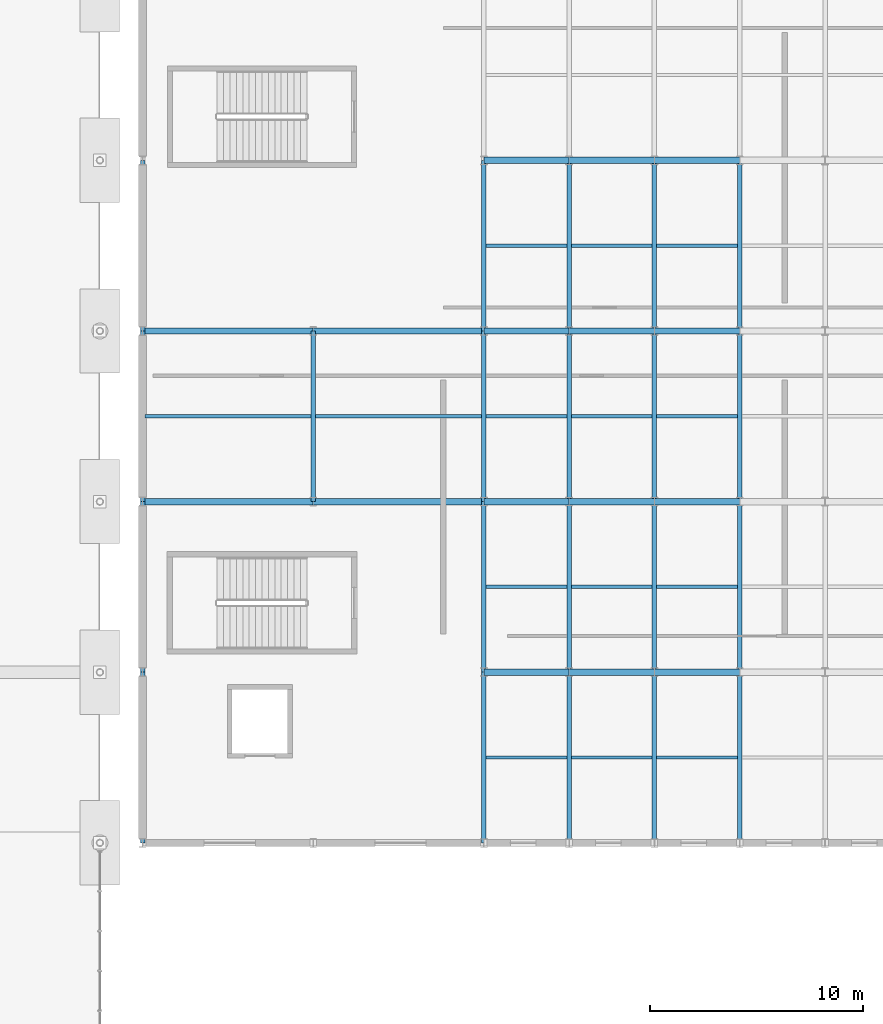
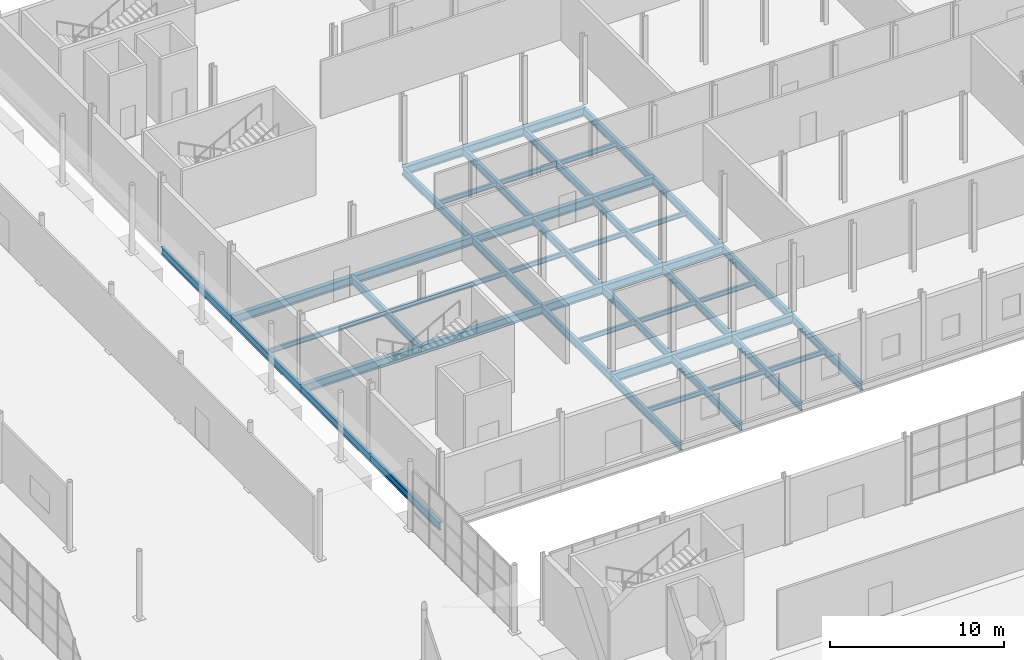
# One storey, part 51 of 101: 51 beams.
"""IFC4 building model written with IfcOpenShell, lengths in metres."""

from ifc_helpers import new_model, si_unit, derived_unit, direction, frame, origin, origin_2d, place, context, subcontext, project, spatial, i_section, extrude, material, material_profile, profile_set, type_object, element, save


model = new_model("IFC4")

# Units and contexts
model_context = context("Model", 3, precision=1e-05, world=origin(), true_north=direction((0.0, 1.0)))
body_context = subcontext(model_context, "Body", "Model", "MODEL_VIEW")
ifc_project = project(units=[si_unit("LENGTHUNIT", "METRE"), si_unit("AREAUNIT", "SQUARE_METRE"), si_unit("VOLUMEUNIT", "CUBIC_METRE"), si_unit("PLANEANGLEUNIT", "RADIAN"), si_unit("MASSUNIT", "GRAM", prefix="KILO"), derived_unit("THERMALTRANSMITTANCEUNIT", [(si_unit("POWERUNIT", "WATT"), 1), (si_unit("LENGTHUNIT", "METRE"), -2), (si_unit("THERMODYNAMICTEMPERATUREUNIT", "KELVIN"), -1)])], contexts=[model_context])

# Site, building, storey
site_placement = place(None, origin())
site = spatial("IfcSite", under=ifc_project, at=site_placement, CompositionType="ELEMENT")
building_placement = place(site_placement, origin())
building = spatial("IfcBuilding", under=site, at=building_placement, Name="Keldorne Ridge Multi-Sports Centre", CompositionType="ELEMENT")
storey_placement = place(building_placement, origin())
storey = spatial("IfcBuildingStorey", under=building, at=storey_placement, Name="L00", CompositionType="ELEMENT", Elevation=0.0)

# Beams
ifc_material = material(Name="Steel S355", Category="steel")
ifc_material_profile_1 = material_profile(ifc_material, i_section(OverallWidth=0.2099609375, OverallDepth=0.550048828125, WebThickness=0.010986328125, FlangeThickness=0.01708984375, FilletRadius=0.02392578125, at=origin_2d()), Name="IPE 550")
ifc_profile_set_1 = profile_set([ifc_material_profile_1], Name="Steel S355")
beam_type_1 = type_object("IfcBeamType", Name="BM-B-01", PredefinedType="BEAM", material=ifc_profile_set_1)
for number, where, z_axis, x_axis, name in (
    (1, (104.0, 66.0, -0.544921875), (0.0, 1.0, 0.0), (-1.0, 0.0, 0.0), "L00 primary girder 104.1"),
    (2, (104.0, 74.0, -0.544921875), (0.0, 1.0, 0.0), (-1.0, 0.0, 0.0), "L00 primary girder 104.2"),
    (3, (104.0, 82.0, -0.544921875), (0.0, 1.0, 0.0), (-1.0, 0.0, 0.0), "L00 primary girder 104.3"),
    (4, (104.0, 90.0, -0.544921875), (0.0, 1.0, 0.0), (-1.0, 0.0, 0.0), "L00 primary girder 104.4"),
    (5, (112.0, 82.0, -0.544921875), (0.0, 1.0, 0.0), (-1.0, 0.0, 0.0), "L00 primary girder 112.3"),
    (6, (120.0, 66.0, -0.544921875), (0.0, 1.0, 0.0), (-1.0, 0.0, 0.0), "L00 primary girder 120.1"),
    (7, (120.0, 74.0, -0.544921875), (0.0, 1.0, 0.0), (-1.0, 0.0, 0.0), "L00 primary girder 120.2"),
    (8, (120.0, 82.0, -0.544921875), (0.0, 1.0, 0.0), (-1.0, 0.0, 0.0), "L00 primary girder 120.3"),
    (9, (120.0, 90.0, -0.544921875), (0.0, 1.0, 0.0), (-1.0, 0.0, 0.0), "L00 primary girder 120.4"),
    (10, (124.0, 66.0, -0.544921875), (0.0, 1.0, 0.0), (-1.0, 0.0, 0.0), "L00 primary girder 124.1"),
    (11, (124.0, 74.0, -0.544921875), (0.0, 1.0, 0.0), (-1.0, 0.0, 0.0), "L00 primary girder 124.2"),
    (12, (124.0, 82.0, -0.544921875), (0.0, 1.0, 0.0), (-1.0, 0.0, 0.0), "L00 primary girder 124.3"),
    (13, (124.0, 90.0, -0.544921875), (0.0, 1.0, 0.0), (-1.0, 0.0, 0.0), "L00 primary girder 124.4"),
    (14, (128.0, 66.0, -0.544921875), (0.0, 1.0, 0.0), (-1.0, 0.0, 0.0), "L00 primary girder 128.1"),
    (15, (128.0, 74.0, -0.544921875), (0.0, 1.0, 0.0), (-1.0, 0.0, 0.0), "L00 primary girder 128.2"),
    (16, (128.0, 82.0, -0.544921875), (0.0, 1.0, 0.0), (-1.0, 0.0, 0.0), "L00 primary girder 128.3"),
    (17, (128.0, 90.0, -0.544921875), (0.0, 1.0, 0.0), (-1.0, 0.0, 0.0), "L00 primary girder 128.4"),
    (18, (132.0, 66.0, -0.544921875), (0.0, 1.0, 0.0), (-1.0, 0.0, 0.0), "L00 primary girder 132.1"),
    (19, (132.0, 74.0, -0.544921875), (0.0, 1.0, 0.0), (-1.0, 0.0, 0.0), "L00 primary girder 132.2"),
    (20, (132.0, 82.0, -0.544921875), (0.0, 1.0, 0.0), (-1.0, 0.0, 0.0), "L00 primary girder 132.3"),
    (21, (132.0, 90.0, -0.544921875), (0.0, 1.0, 0.0), (-1.0, 0.0, 0.0), "L00 primary girder 132.4"),
):
    element("IfcBeam", number, at=place(storey_placement, frame(where, z_axis=z_axis, x_axis=x_axis)), inside=storey, type_object=beam_type_1, Name=name, PredefinedType="BEAM", context=body_context, shape_type="SweptSolid", body=[
        extrude(i_section(OverallWidth=0.2099609375, OverallDepth=0.550048828125, WebThickness=0.010986328125, FlangeThickness=0.01708984375, FilletRadius=0.02392578125, at=origin_2d()), origin(), (0.0, 0.0, 1.0), 8.0),
    ])
ifc_material_profile_2 = material_profile(ifc_material, i_section(OverallWidth=0.300048828125, OverallDepth=0.590087890625, WebThickness=0.012939453125, FlangeThickness=0.02490234375, FilletRadius=0.027099609375, at=origin_2d()), Name="HEA 600")
ifc_profile_set_2 = profile_set([ifc_material_profile_2], Name="Steel S355")
beam_type_2 = type_object("IfcBeamType", Name="BM-B-06", PredefinedType="BEAM", material=ifc_profile_set_2)
for number, where, z_axis, x_axis, name in (
    (22, (120.0, 74.0, -0.56494140625), (1.0, 0.0, 0.0), (0.0, 1.0, 0.0), "L00 primary beam 3.74"),
    (23, (124.0, 74.0, -0.56494140625), (1.0, 0.0, 0.0), (0.0, 1.0, 0.0), "L00 primary beam 4.74"),
    (24, (128.0, 74.0, -0.56494140625), (1.0, 0.0, 0.0), (0.0, 1.0, 0.0), "L00 primary beam 5.74"),
):
    element("IfcBeam", number, at=place(storey_placement, frame(where, z_axis=z_axis, x_axis=x_axis)), inside=storey, type_object=beam_type_2, Name=name, PredefinedType="BEAM", context=body_context, shape_type="SweptSolid", body=[
        extrude(i_section(OverallWidth=0.300048828125, OverallDepth=0.590087890625, WebThickness=0.012939453125, FlangeThickness=0.02490234375, FilletRadius=0.027099609375, at=origin_2d()), origin(), (0.0, 0.0, 1.0), 4.0),
    ])
for number, where, z_axis, x_axis, name in (
    (25, (104.0, 82.0, -0.56494140625), (1.0, 0.0, 0.0), (0.0, 1.0, 0.0), "L00 primary beam 1.82"),
    (26, (112.0, 82.0, -0.56494140625), (1.0, 0.0, 0.0), (0.0, 1.0, 0.0), "L00 primary beam 2.82"),
):
    element("IfcBeam", number, at=place(storey_placement, frame(where, z_axis=z_axis, x_axis=x_axis)), inside=storey, type_object=beam_type_2, Name=name, PredefinedType="BEAM", context=body_context, shape_type="SweptSolid", body=[
        extrude(i_section(OverallWidth=0.300048828125, OverallDepth=0.590087890625, WebThickness=0.012939453125, FlangeThickness=0.02490234375, FilletRadius=0.027099609375, at=origin_2d()), origin(), (0.0, 0.0, 1.0), 8.0),
    ])
for number, where, z_axis, x_axis, name in (
    (27, (120.0, 82.0, -0.56494140625), (1.0, 0.0, 0.0), (0.0, 1.0, 0.0), "L00 primary beam 3.82"),
    (28, (124.0, 82.0, -0.56494140625), (1.0, 0.0, 0.0), (0.0, 1.0, 0.0), "L00 primary beam 4.82"),
    (29, (128.0, 82.0, -0.56494140625), (1.0, 0.0, 0.0), (0.0, 1.0, 0.0), "L00 primary beam 5.82"),
):
    element("IfcBeam", number, at=place(storey_placement, frame(where, z_axis=z_axis, x_axis=x_axis)), inside=storey, type_object=beam_type_2, Name=name, PredefinedType="BEAM", context=body_context, shape_type="SweptSolid", body=[
        extrude(i_section(OverallWidth=0.300048828125, OverallDepth=0.590087890625, WebThickness=0.012939453125, FlangeThickness=0.02490234375, FilletRadius=0.027099609375, at=origin_2d()), origin(), (0.0, 0.0, 1.0), 4.0),
    ])
for number, where, z_axis, x_axis, name in (
    (30, (104.0, 90.0, -0.56494140625), (1.0, 0.0, 0.0), (0.0, 1.0, 0.0), "L00 primary beam 1.90"),
    (31, (112.0, 90.0, -0.56494140625), (1.0, 0.0, 0.0), (0.0, 1.0, 0.0), "L00 primary beam 2.90"),
):
    element("IfcBeam", number, at=place(storey_placement, frame(where, z_axis=z_axis, x_axis=x_axis)), inside=storey, type_object=beam_type_2, Name=name, PredefinedType="BEAM", context=body_context, shape_type="SweptSolid", body=[
        extrude(i_section(OverallWidth=0.300048828125, OverallDepth=0.590087890625, WebThickness=0.012939453125, FlangeThickness=0.02490234375, FilletRadius=0.027099609375, at=origin_2d()), origin(), (0.0, 0.0, 1.0), 8.0),
    ])
for number, where, z_axis, x_axis, name in (
    (32, (120.0, 90.0, -0.56494140625), (1.0, 0.0, 0.0), (0.0, 1.0, 0.0), "L00 primary beam 3.90"),
    (33, (124.0, 90.0, -0.56494140625), (1.0, 0.0, 0.0), (0.0, 1.0, 0.0), "L00 primary beam 4.90"),
    (34, (128.0, 90.0, -0.56494140625), (1.0, 0.0, 0.0), (0.0, 1.0, 0.0), "L00 primary beam 5.90"),
    (35, (120.0, 98.0, -0.56494140625), (1.0, 0.0, 0.0), (0.0, 1.0, 0.0), "L00 primary beam 3.98"),
    (36, (124.0, 98.0, -0.56494140625), (1.0, 0.0, 0.0), (0.0, 1.0, 0.0), "L00 primary beam 4.98"),
    (37, (128.0, 98.0, -0.56494140625), (1.0, 0.0, 0.0), (0.0, 1.0, 0.0), "L00 primary beam 5.98"),
):
    element("IfcBeam", number, at=place(storey_placement, frame(where, z_axis=z_axis, x_axis=x_axis)), inside=storey, type_object=beam_type_2, Name=name, PredefinedType="BEAM", context=body_context, shape_type="SweptSolid", body=[
        extrude(i_section(OverallWidth=0.300048828125, OverallDepth=0.590087890625, WebThickness=0.012939453125, FlangeThickness=0.02490234375, FilletRadius=0.027099609375, at=origin_2d()), origin(), (0.0, 0.0, 1.0), 4.0),
    ])
ifc_material_profile_3 = material_profile(ifc_material, i_section(OverallWidth=0.159912109375, OverallDepth=0.330078125, WebThickness=0.007568359375, FlangeThickness=0.011474609375, FilletRadius=0.01806640625, at=origin_2d()), Name="IPE 330")
ifc_profile_set_3 = profile_set([ifc_material_profile_3], Name="Steel S355")
beam_type_3 = type_object("IfcBeamType", Name="BM-J-01", PredefinedType="JOIST", material=ifc_profile_set_3)
for number, where, z_axis, x_axis, name in (
    (38, (104.10498046875, 86.0, -0.43505859375), (1.0, 0.0, 0.0), (0.0, 1.0, 0.0), "L00 secondary joist 1.3"),
    (39, (112.10498046875, 86.0, -0.43505859375), (1.0, 0.0, 0.0), (0.0, 1.0, 0.0), "L00 secondary joist 2.3"),
):
    element("IfcBeam", number, at=place(storey_placement, frame(where, z_axis=z_axis, x_axis=x_axis)), inside=storey, type_object=beam_type_3, Name=name, PredefinedType="JOIST", context=body_context, shape_type="SweptSolid", body=[
        extrude(i_section(OverallWidth=0.159912109375, OverallDepth=0.330078125, WebThickness=0.007568359375, FlangeThickness=0.011474609375, FilletRadius=0.01806640625, at=origin_2d()), origin(), (0.0, 0.0, 1.0), 7.7900390625),
    ])
for number, where, z_axis, x_axis, name in (
    (40, (120.10498046875, 70.0, -0.43505859375), (1.0, 0.0, 0.0), (0.0, 1.0, 0.0), "L00 secondary joist 3.1"),
    (41, (120.10498046875, 78.0, -0.43505859375), (1.0, 0.0, 0.0), (0.0, 1.0, 0.0), "L00 secondary joist 3.2"),
    (42, (120.10498046875, 86.0, -0.43505859375), (1.0, 0.0, 0.0), (0.0, 1.0, 0.0), "L00 secondary joist 3.3"),
    (43, (120.10498046875, 94.0, -0.43505859375), (1.0, 0.0, 0.0), (0.0, 1.0, 0.0), "L00 secondary joist 3.4"),
    (44, (124.10498046875, 70.0, -0.43505859375), (1.0, 0.0, 0.0), (0.0, 1.0, 0.0), "L00 secondary joist 4.1"),
    (45, (124.10498046875, 78.0, -0.43505859375), (1.0, 0.0, 0.0), (0.0, 1.0, 0.0), "L00 secondary joist 4.2"),
    (46, (124.10498046875, 86.0, -0.43505859375), (1.0, 0.0, 0.0), (0.0, 1.0, 0.0), "L00 secondary joist 4.3"),
    (47, (124.10498046875, 94.0, -0.43505859375), (1.0, 0.0, 0.0), (0.0, 1.0, 0.0), "L00 secondary joist 4.4"),
    (48, (128.10498046875, 70.0, -0.43505859375), (1.0, 0.0, 0.0), (0.0, 1.0, 0.0), "L00 secondary joist 5.1"),
    (49, (128.10498046875, 78.0, -0.43505859375), (1.0, 0.0, 0.0), (0.0, 1.0, 0.0), "L00 secondary joist 5.2"),
    (50, (128.10498046875, 86.0, -0.43505859375), (1.0, 0.0, 0.0), (0.0, 1.0, 0.0), "L00 secondary joist 5.3"),
    (51, (128.10498046875, 94.0, -0.43505859375), (1.0, 0.0, 0.0), (0.0, 1.0, 0.0), "L00 secondary joist 5.4"),
):
    element("IfcBeam", number, at=place(storey_placement, frame(where, z_axis=z_axis, x_axis=x_axis)), inside=storey, type_object=beam_type_3, Name=name, PredefinedType="JOIST", context=body_context, shape_type="SweptSolid", body=[
        extrude(i_section(OverallWidth=0.159912109375, OverallDepth=0.330078125, WebThickness=0.007568359375, FlangeThickness=0.011474609375, FilletRadius=0.01806640625, at=origin_2d()), origin(), (0.0, 0.0, 1.0), 3.7900390625),
    ])

save(model, "model.ifc")
